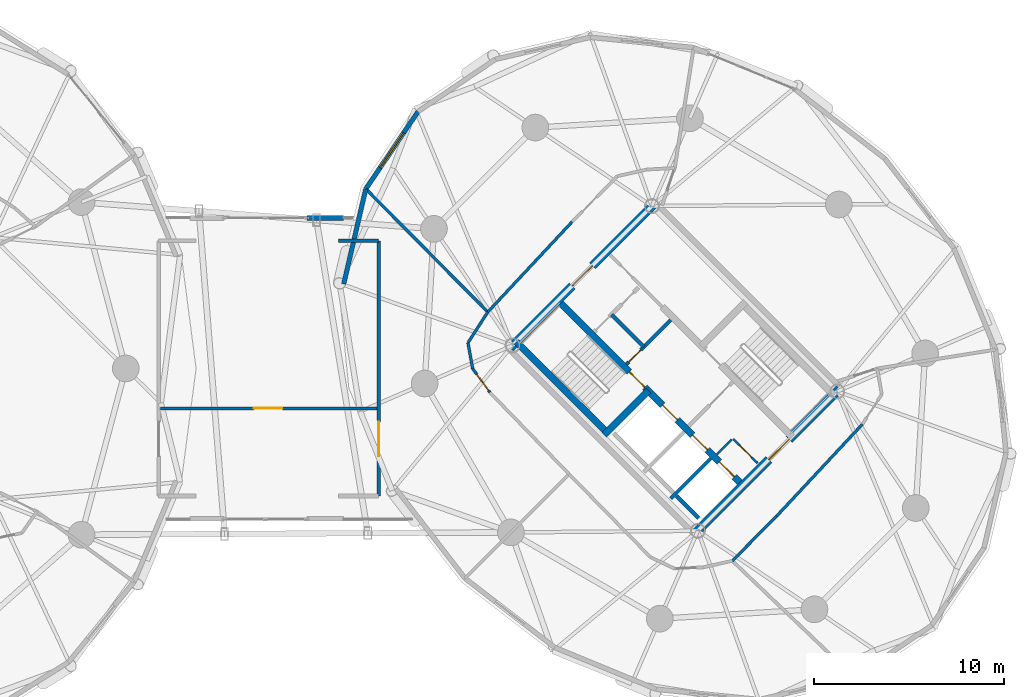
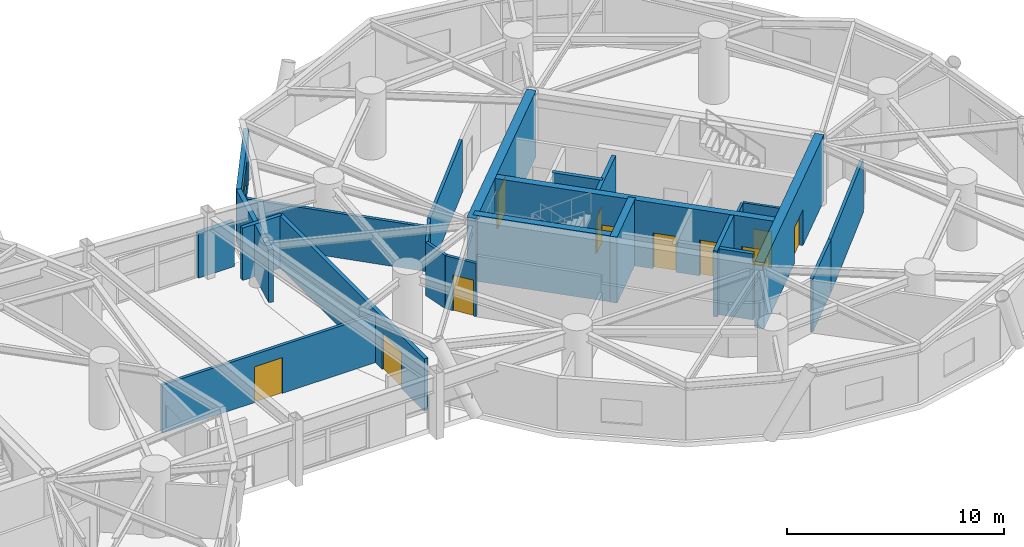
# One storey, part 15 of 19: 24 walls, 11 doors, 1 window, 12 openings.
"""IFC4 building model written with IfcOpenShell, lengths in metres."""

from ifc_helpers import new_model, si_unit, direction, frame, frame_2d, origin, place, context, subcontext, project, spatial, rectangle, extrude, source, transform, mapped, material, layer, layer_set, type_object, element, fill, save


model = new_model("IFC4")

# Units and contexts
model_context = context("Model", 3, precision=1e-05, world=origin(), true_north=direction((0.0, 1.0)))
body_context = subcontext(model_context, "Body", "Model", "MODEL_VIEW")
ifc_project = project(units=[si_unit("LENGTHUNIT", "METRE"), si_unit("AREAUNIT", "SQUARE_METRE"), si_unit("VOLUMEUNIT", "CUBIC_METRE"), si_unit("PLANEANGLEUNIT", "RADIAN"), si_unit("MASSUNIT", "GRAM", prefix="KILO")], contexts=[model_context])

# Site, building, storey
site_placement = place(None, origin())
site = spatial("IfcSite", under=ifc_project, at=site_placement, CompositionType="ELEMENT")
building_placement = place(site_placement, origin())
building = spatial("IfcBuilding", under=site, at=building_placement, Name="Cununo Teusaquillo Station Towers", CompositionType="ELEMENT")
storey_placement = place(building_placement, frame((0.0, 0.0, 136.60009765625)))
storey = spatial("IfcBuildingStorey", under=building, at=storey_placement, Name="L43", CompositionType="ELEMENT", Elevation=136.60009765625)

# Walls
ifc_material_1 = material(Name="Concrete C50/60", Category="concrete")
ifc_layer_1 = layer(ifc_material_1, 0.199951171875)
ifc_layer_set_1 = layer_set([ifc_layer_1], Name="Concrete C50/60")
wall_type_1 = type_object("IfcWallType", Name="WL-CORE-200", PredefinedType="SHEAR", material=ifc_layer_set_1)
wall_1_placement = place(storey_placement, frame((57.2841796875, 17.6728515625, 0.0), z_axis=(0.0, 0.0, 1.0), x_axis=(0.707147878904, 0.70706568108, 0.0)))
element("IfcWall", 1, at=wall_1_placement, inside=storey, type_object=wall_type_1, Name="L43 Tower B High-Rise Lift Hoistway Divider Shear Wall", PredefinedType="SHEAR", context=body_context, shape_type="SweptSolid", body=[
    extrude(rectangle(XDim=2.97021484375, YDim=0.199951171875, at=frame_2d((1.485107421875, 0.0))), origin(), (0.0, 0.0, 1.0), 3.719970703125),
])
wall_2_placement = place(storey_placement, frame((58.7373046875, 16.64404296875, 0.0), z_axis=(0.0, 0.0, 1.0), x_axis=(-0.707032117043, 0.707181437447, 0.0)))
element("IfcWall", 2, at=wall_2_placement, inside=storey, type_object=wall_type_1, Name="L43 Tower B High-Rise Lift 1 Shaft Rear Shear Wall", PredefinedType="SHEAR", context=body_context, shape_type="SweptSolid", body=[
    extrude(rectangle(XDim=1.635009765625, YDim=0.199951171875, at=frame_2d((0.8173828125, 0.0))), origin(), (0.0, 0.0, 1.0), 3.719970703125),
])

# Wall, openings, doors
ifc_material_2 = material(Name="Concrete C50/60", Category="concrete")
ifc_layer_2 = layer(ifc_material_2, 0.35009765625)
ifc_layer_set_2 = layer_set([ifc_layer_2], Name="Concrete C50/60")
wall_type_2 = type_object("IfcWallType", Name="WL-CORE-350", PredefinedType="SHEAR", material=ifc_layer_set_2)
wall_3_placement = place(storey_placement, frame((61.077880859375, 18.355224609375, 0.0), z_axis=(0.0, 0.0, 1.0), x_axis=(-0.707106781187, 0.707106781187, 0.0)))
wall_3 = element("IfcWall", 3, at=wall_3_placement, inside=storey, type_object=wall_type_2, Name="L43 Tower B Core Shear Wall IW", PredefinedType="SHEAR", context=body_context, shape_type="SweptSolid", body=[
    extrude(rectangle(XDim=13.75, YDim=0.35009765625, at=frame_2d((6.875, 0.0))), origin(), (0.0, 0.0, 1.0), 3.719970703125),
])
shared_shape_1 = source(origin(), body_context, "Body", "SweptSolid", [
    extrude(rectangle(XDim=1.10009765625, YDim=2.014892578125, at=frame_2d((0.550048828125, 1.00732421875))), frame((0.0, 0.18505859375, 0.0), z_axis=(0.0, -1.0, 0.0), x_axis=(1.0, 0.0, 0.0)), (0.0, 0.0, 1.0), 0.3701171875),
])
opening_1_placement = place(wall_3_placement, frame((4.875, 0.0, 0.0)))
opening_1 = element("IfcOpeningElement", 4, at=opening_1_placement, cuts=wall_3, Name="Opening LD-01", PredefinedType="OPENING", context=body_context, shape_type="MappedRepresentation", body=[
    mapped(shared_shape_1, transform((0.0, 0.0, 0.0), x_axis=(1.0, 0.0, 0.0), y_axis=(0.0, 1.0, 0.0), z_axis=(0.0, 0.0, 1.0), scale=1.0)),
])
opening_2_placement = place(wall_3_placement, frame((0.64990234375, 0.0, 0.0)))
opening_2 = element("IfcOpeningElement", 5, at=opening_2_placement, cuts=wall_3, Name="Opening LD-01", PredefinedType="OPENING", context=body_context, shape_type="MappedRepresentation", body=[
    mapped(shared_shape_1, transform((0.0, 0.0, 0.0), x_axis=(1.0, 0.0, 0.0), y_axis=(0.0, 1.0, 0.0), z_axis=(0.0, 0.0, 1.0), scale=1.0)),
])
opening_3_placement = place(wall_3_placement, frame((2.64990234375, 0.0, 0.0)))
opening_3 = element("IfcOpeningElement", 6, at=opening_3_placement, cuts=wall_3, Name="Opening LD-01", PredefinedType="OPENING", context=body_context, shape_type="MappedRepresentation", body=[
    mapped(shared_shape_1, transform((0.0, 0.0, 0.0), x_axis=(1.0, 0.0, 0.0), y_axis=(0.0, 1.0, 0.0), z_axis=(0.0, 0.0, 1.0), scale=1.0)),
])
shared_shape_2 = source(origin(), body_context, "Body", "SweptSolid", [
    extrude(rectangle(XDim=1.14990234375, YDim=2.02001953125, at=frame_2d((0.574951171875, 1.010009765625))), frame((0.0, 0.18505859375, 0.0), z_axis=(0.0, -1.0, 0.0), x_axis=(1.0, 0.0, 0.0)), (0.0, 0.0, 1.0), 0.3701171875),
])
opening_4_placement = place(wall_3_placement, frame((7.294921875, 0.0, 0.0)))
opening_4 = element("IfcOpeningElement", 7, at=opening_4_placement, cuts=wall_3, Name="Opening D-ST1", PredefinedType="OPENING", context=body_context, shape_type="MappedRepresentation", body=[
    mapped(shared_shape_2, transform((0.0, 0.0, 0.0), x_axis=(1.0, 0.0, 0.0), y_axis=(0.0, 1.0, 0.0), z_axis=(0.0, 0.0, 1.0), scale=1.0)),
])
ifc_material_3 = material(Name="Galvanised fire-rated hollow steel door assembly", Category="steel")
door_type_1 = type_object("IfcDoorType", Name="DR-LIFT-1100", OperationType="SLIDING_TO_LEFT", PredefinedType="DOOR", material=ifc_material_3)
shared_shape_3 = source(origin(), body_context, "Body", "SweptSolid", [
    extrude(rectangle(XDim=1.10009765625, YDim=2.014892578125, at=frame_2d((0.550048828125, 1.00732421875))), frame((0.0, 0.02490234375, 0.0), z_axis=(0.0, -1.0, 0.0), x_axis=(1.0, 0.0, 0.0)), (0.0, 0.0, 1.0), 0.050048828125),
])
door_1_placement = place(opening_1_placement, origin())
door_1 = element("IfcDoor", 8, at=door_1_placement, inside=storey, type_object=door_type_1, Name="L43 Lift FL-T2 Sliding Landing Door", OperationType="SLIDING_TO_LEFT", OverallHeight=2.014892578125, OverallWidth=1.10009765625, PredefinedType="DOOR", context=body_context, shape_type="MappedRepresentation", body=[
    mapped(shared_shape_3, transform((0.0, 0.0, 0.0), x_axis=(1.0, 0.0, 0.0), y_axis=(0.0, 1.0, 0.0), z_axis=(0.0, 0.0, 1.0), scale=1.0)),
])
fill(opening_1, door_1)
door_2_placement = place(opening_2_placement, origin())
door_2 = element("IfcDoor", 9, at=door_2_placement, inside=storey, type_object=door_type_1, Name="L43 Lift PL-T2-H1 Sliding Landing Door", OperationType="SLIDING_TO_LEFT", OverallHeight=2.014892578125, OverallWidth=1.10009765625, PredefinedType="DOOR", context=body_context, shape_type="MappedRepresentation", body=[
    mapped(shared_shape_3, transform((0.0, 0.0, 0.0), x_axis=(1.0, 0.0, 0.0), y_axis=(0.0, 1.0, 0.0), z_axis=(0.0, 0.0, 1.0), scale=1.0)),
])
fill(opening_2, door_2)
door_3_placement = place(opening_3_placement, origin())
door_3 = element("IfcDoor", 10, at=door_3_placement, inside=storey, type_object=door_type_1, Name="L43 Lift PL-T2-H2 Sliding Landing Door", OperationType="SLIDING_TO_RIGHT", OverallHeight=2.014892578125, OverallWidth=1.10009765625, PredefinedType="DOOR", context=body_context, shape_type="MappedRepresentation", body=[
    mapped(shared_shape_3, transform((0.0, 0.0, 0.0), x_axis=(1.0, 0.0, 0.0), y_axis=(0.0, 1.0, 0.0), z_axis=(0.0, 0.0, 1.0), scale=1.0)),
])
fill(opening_3, door_3)
ifc_material_4 = material(Name="Galvanised fire-rated hollow steel door assembly", Category="steel")
door_type_2 = type_object("IfcDoorType", Name="DR-STAIR-1150", OperationType="NOTDEFINED", PredefinedType="DOOR", material=ifc_material_4)
shared_shape_4 = source(origin(), body_context, "Body", "SweptSolid", [
    extrude(rectangle(XDim=1.14990234375, YDim=2.02001953125, at=frame_2d((0.574951171875, 1.010009765625))), frame((0.0, 0.02490234375, 0.0), z_axis=(0.0, -1.0, 0.0), x_axis=(1.0, 0.0, 0.0)), (0.0, 0.0, 1.0), 0.050048828125),
])
door_4_placement = place(opening_4_placement, origin())
door_4 = element("IfcDoor", 11, at=door_4_placement, inside=storey, type_object=door_type_2, Name="L43 Tower B Exit Stair 1 Fire Door", OperationType="SINGLE_SWING_LEFT", OverallHeight=2.02001953125, OverallWidth=1.14990234375, PredefinedType="DOOR", context=body_context, shape_type="MappedRepresentation", body=[
    mapped(shared_shape_4, transform((0.0, 0.0, 0.0), x_axis=(1.0, 0.0, 0.0), y_axis=(0.0, 1.0, 0.0), z_axis=(0.0, 0.0, 1.0), scale=1.0)),
])
fill(opening_4, door_4)

# Walls
wall_4_placement = place(storey_placement, frame((53.922119140625, 21.14111328125, 0.0), z_axis=(0.0, 0.0, 1.0), x_axis=(-0.707088616009, 0.707124945897, 0.0)))
element("IfcWall", 12, at=wall_4_placement, inside=storey, type_object=wall_type_2, Name="L43 Tower B Core Shear Wall ST1W", PredefinedType="SHEAR", context=body_context, shape_type="SweptSolid", body=[
    extrude(rectangle(XDim=6.72021484375, YDim=0.35009765625, at=frame_2d((3.360107421875, 0.0))), origin(), (0.0, 0.0, 1.0), 3.719970703125),
])
wall_5_placement = place(storey_placement, frame((53.7841796875, 21.00341796875, 0.0), z_axis=(0.0, 0.0, 1.0), x_axis=(0.707106781187, 0.707106781187, 0.0)))
element("IfcWall", 13, at=wall_5_placement, inside=storey, type_object=wall_type_2, Name="L43 Tower B Core Shear Wall ST1S", PredefinedType="SHEAR", context=body_context, shape_type="SweptSolid", body=[
    extrude(rectangle(XDim=3.284912109375, YDim=0.35009765625, at=frame_2d((1.642578125, 0.0))), origin(), (0.0, 0.0, 1.0), 3.719970703125),
])

# Wall, opening, door
ifc_material_5 = material(Name="Concrete C60/75", Category="concrete")
ifc_layer_3 = layer(ifc_material_5, 0.449951171875)
ifc_layer_set_3 = layer_set([ifc_layer_3], Name="Concrete C60/75")
wall_type_3 = type_object("IfcWallType", Name="WL-CORE-450", PredefinedType="SHEAR", material=ifc_layer_set_3)
wall_6_placement = place(storey_placement, frame((58.578369140625, 15.855712890625, 0.0), z_axis=(0.0, 0.0, 1.0), x_axis=(0.707106781187, 0.707106781187, 0.0)))
wall_6 = element("IfcWall", 14, at=wall_6_placement, inside=storey, type_object=wall_type_3, Name="L43 Tower B Core Shear Wall S", PredefinedType="SHEAR", context=body_context, shape_type="SweptSolid", body=[
    extrude(rectangle(XDim=10.69970703125, YDim=0.449951171875, at=frame_2d((5.349853515625, 0.0))), origin(), (0.0, 0.0, 1.0), 3.719970703125),
])
shared_shape_5 = source(origin(), body_context, "Body", "SweptSolid", [
    extrude(rectangle(XDim=1.5, YDim=2.02001953125, at=frame_2d((0.75, 1.010009765625))), frame((0.0, 0.23486328125, 0.0), z_axis=(0.0, -1.0, 0.0), x_axis=(1.0, 0.0, 0.0)), (0.0, 0.0, 1.0), 0.469970703125),
])
opening_5_placement = place(wall_6_placement, frame((5.449951171875, 0.0, 0.0)))
opening_5 = element("IfcOpeningElement", 15, at=opening_5_placement, cuts=wall_6, Name="Opening D-LB1", PredefinedType="OPENING", context=body_context, shape_type="MappedRepresentation", body=[
    mapped(shared_shape_5, transform((0.0, 0.0, 0.0), x_axis=(1.0, 0.0, 0.0), y_axis=(0.0, 1.0, 0.0), z_axis=(0.0, 0.0, 1.0), scale=1.0)),
])
ifc_material_6 = material(Name="Galvanised fire-rated hollow steel door assembly", Category="steel")
door_type_3 = type_object("IfcDoorType", Name="DR-LOBBY-1500", OperationType="DOUBLE_DOOR_SINGLE_SWING", PredefinedType="DOOR", material=ifc_material_6)
shared_shape_6 = source(origin(), body_context, "Body", "SweptSolid", [
    extrude(rectangle(XDim=1.5, YDim=2.02001953125, at=frame_2d((0.75, 1.010009765625))), frame((0.0, 0.02490234375, 0.0), z_axis=(0.0, -1.0, 0.0), x_axis=(1.0, 0.0, 0.0)), (0.0, 0.0, 1.0), 0.050048828125),
])
door_5_placement = place(opening_5_placement, origin())
door_5 = element("IfcDoor", 16, at=door_5_placement, inside=storey, type_object=door_type_3, Name="L43 Tower B South Core Lift Lobby Door", OperationType="DOUBLE_DOOR_SINGLE_SWING", OverallHeight=2.02001953125, OverallWidth=1.5, PredefinedType="DOOR", context=body_context, shape_type="MappedRepresentation", body=[
    mapped(shared_shape_6, transform((0.0, 0.0, 0.0), x_axis=(1.0, 0.0, 0.0), y_axis=(0.0, 1.0, 0.0), z_axis=(0.0, 0.0, 1.0), scale=1.0)),
])
fill(opening_5, door_5)

wall_7_placement = place(storey_placement, frame((48.855712890625, 25.578369140625, 0.0), z_axis=(0.0, 0.0, 1.0), x_axis=(0.707106781187, 0.707106781187, 0.0)))
wall_7 = element("IfcWall", 17, at=wall_7_placement, inside=storey, type_object=wall_type_3, Name="L43 Tower B Core Shear Wall N", PredefinedType="SHEAR", context=body_context, shape_type="SweptSolid", body=[
    extrude(rectangle(XDim=10.69970703125, YDim=0.449951171875, at=frame_2d((5.349853515625, 0.0))), origin(), (0.0, 0.0, 1.0), 3.719970703125),
])
opening_6_placement = place(wall_7_placement, frame((4.60009765625, 0.0, 0.0)))
opening_6 = element("IfcOpeningElement", 18, at=opening_6_placement, cuts=wall_7, Name="Opening D-LB1", PredefinedType="OPENING", context=body_context, shape_type="MappedRepresentation", body=[
    mapped(shared_shape_5, transform((0.0, 0.0, 0.0), x_axis=(1.0, 0.0, 0.0), y_axis=(0.0, 1.0, 0.0), z_axis=(0.0, 0.0, 1.0), scale=1.0)),
])
door_6_placement = place(opening_6_placement, origin())
door_6 = element("IfcDoor", 19, at=door_6_placement, inside=storey, type_object=door_type_3, Name="L43 Tower B North Core Lift Lobby Door", OperationType="DOUBLE_DOOR_SINGLE_SWING", OverallHeight=2.02001953125, OverallWidth=1.5, PredefinedType="DOOR", context=body_context, shape_type="MappedRepresentation", body=[
    mapped(shared_shape_6, transform((0.0, 0.0, 0.0), x_axis=(1.0, 0.0, 0.0), y_axis=(0.0, 1.0, 0.0), z_axis=(0.0, 0.0, 1.0), scale=1.0)),
])
fill(opening_6, door_6)

# Wall, opening, window
ifc_material_7 = material(Name="Precast concrete C40/50", Category="concrete")
ifc_layer_4 = layer(ifc_material_7, 0.239990234375)
ifc_layer_set_4 = layer_set([ifc_layer_4], Name="Precast concrete C40/50")
wall_type_4 = type_object("IfcWallType", Name="WL-EXT-240", PredefinedType="SOLIDWALL", material=ifc_layer_set_4)
wall_8_placement = place(storey_placement, frame((41.27099609375, 33.919921875, 0.0), z_axis=(0.0, 0.0, 1.0), x_axis=(0.559572880421, 0.828781148131, 0.0)))
wall_8 = element("IfcWall", 20, at=wall_8_placement, inside=storey, type_object=wall_type_4, Name="L43 Tower B Exterior Facade Wall C05", PredefinedType="SOLIDWALL", context=body_context, shape_type="SweptSolid", body=[
    extrude(rectangle(XDim=4.904541015625, YDim=0.239990234375, at=frame_2d((2.4521484375, 0.0))), origin(), (0.0, 0.0, 1.0), 2.948974609375),
])
shared_shape_7 = source(origin(), body_context, "Body", "SweptSolid", [
    extrude(rectangle(XDim=2.199951171875, YDim=1.35009765625, at=frame_2d((1.10009765625, 0.675048828125))), frame((0.0, 0.1298828125, 0.0), z_axis=(0.0, -1.0, 0.0), x_axis=(1.0, 0.0, 0.0)), (0.0, 0.0, 1.0), 0.260009765625),
])
opening_7_placement = place(wall_8_placement, frame((1.35205078125, 0.0, 0.64990234375)))
opening_7 = element("IfcOpeningElement", 21, at=opening_7_placement, cuts=wall_8, Name="Opening WN-01", PredefinedType="OPENING", context=body_context, shape_type="MappedRepresentation", body=[
    mapped(shared_shape_7, transform((0.0, 0.0, 0.0), x_axis=(1.0, 0.0, 0.0), y_axis=(0.0, 1.0, 0.0), z_axis=(0.0, 0.0, 1.0), scale=1.0)),
])
ifc_material_8 = material(Name="Ceramic-fritted dark low-E double glazing", Category="glass")
window_type = type_object("IfcWindowType", Name="WIN-FRIT-2200", PartitioningType="DOUBLE_PANEL_VERTICAL", PredefinedType="WINDOW", material=ifc_material_8)
shared_shape_8 = source(origin(), body_context, "Body", "SweptSolid", [
    extrude(rectangle(XDim=2.199951171875, YDim=1.35009765625, at=frame_2d((1.10009765625, 0.675048828125))), frame((0.0, 0.030029296875, 0.0), z_axis=(0.0, -1.0, 0.0), x_axis=(1.0, 0.0, 0.0)), (0.0, 0.0, 1.0), 0.06005859375),
])
window_placement = place(opening_7_placement, origin())
window = element("IfcWindow", 22, at=window_placement, inside=storey, type_object=window_type, Name="L43 Tower B Facade Window C05", OverallHeight=1.35009765625, OverallWidth=2.199951171875, PartitioningType="DOUBLE_PANEL_VERTICAL", PredefinedType="WINDOW", context=body_context, shape_type="MappedRepresentation", body=[
    mapped(shared_shape_8, transform((0.0, 0.0, 0.0), x_axis=(1.0, 0.0, 0.0), y_axis=(0.0, 1.0, 0.0), z_axis=(0.0, 0.0, 1.0), scale=1.0)),
])
fill(opening_7, window)

# Walls
wall_9_placement = place(storey_placement, frame((40.114990234375, 28.933349609375, 0.0), z_axis=(0.0, 0.0, 1.0), x_axis=(0.225834725257, 0.974165631126, 0.0)))
element("IfcWall", 23, at=wall_9_placement, inside=storey, type_object=wall_type_4, Name="L43 Tower B Exterior Facade Wall C06", PredefinedType="SOLIDWALL", context=body_context, shape_type="SweptSolid", body=[
    extrude(rectangle(XDim=5.118896484375, YDim=0.239990234375, at=frame_2d((2.5595703125, 0.0))), origin(), (0.0, 0.0, 1.0), 2.948974609375),
])
wall_10_placement = place(storey_placement, frame((38.179931640625, 32.39990234375, 0.0), z_axis=(0.0, 0.0, 1.0), x_axis=(1.0, 0.0, 0.0)))
element("IfcWall", 24, at=wall_10_placement, inside=storey, type_object=wall_type_4, Name="L43 Mid-Bridge N End Spandrel B", PredefinedType="SOLIDWALL", context=body_context, shape_type="SweptSolid", body=[
    extrude(rectangle(XDim=1.920166015625, YDim=0.239990234375, at=frame_2d((0.9599609375, 0.0))), origin(), (0.0, 0.0, 1.0), 2.511962890625),
])

# Wall, opening, door
ifc_material_9 = material(Name="Fire-rated gypsum plasterboard partition assembly", Category="gypsum")
ifc_layer_5 = layer(ifc_material_9, 0.125)
ifc_layer_set_5 = layer_set([ifc_layer_5], Name="Fire-rated gypsum plasterboard partition assembly")
wall_type_5 = type_object("IfcWallType", Name="WL-PART-125", PredefinedType="PARTITIONING", material=ifc_layer_set_5)
wall_11_placement = place(storey_placement, frame((61.834716796875, 19.529052734375, 0.0), z_axis=(0.0, 0.0, 1.0), x_axis=(-0.707174592913, 0.707038962956, 0.0)))
wall_11 = element("IfcWall", 25, at=wall_11_placement, inside=storey, type_object=wall_type_5, Name="L43 Tower B South-West Compact Store East Wall", PredefinedType="PARTITIONING", context=body_context, shape_type="SweptSolid", body=[
    extrude(rectangle(XDim=1.800048828125, YDim=0.125, at=frame_2d((0.89990234375, 0.0))), origin(), (0.0, 0.0, 1.0), 3.4248046875),
])
shared_shape_9 = source(origin(), body_context, "Body", "SweptSolid", [
    extrude(rectangle(XDim=0.89990234375, YDim=2.0048828125, at=frame_2d((0.449951171875, 1.00244140625))), frame((0.0, 0.072509765625, 0.0), z_axis=(0.0, -1.0, 0.0), x_axis=(1.0, 0.0, 0.0)), (0.0, 0.0, 1.0), 0.14501953125),
])
opening_8_placement = place(wall_11_placement, frame((0.419921875, 0.0, 0.0)))
opening_8 = element("IfcOpeningElement", 26, at=opening_8_placement, cuts=wall_11, Name="Opening D-SR1", PredefinedType="OPENING", context=body_context, shape_type="MappedRepresentation", body=[
    mapped(shared_shape_9, transform((0.0, 0.0, 0.0), x_axis=(1.0, 0.0, 0.0), y_axis=(0.0, 1.0, 0.0), z_axis=(0.0, 0.0, 1.0), scale=1.0)),
])
ifc_material_10 = material(Name="Galvanised fire-rated hollow steel door assembly", Category="steel")
door_type_4 = type_object("IfcDoorType", Name="DR-STORE-900", OperationType="NOTDEFINED", PredefinedType="DOOR", material=ifc_material_10)
shared_shape_10 = source(origin(), body_context, "Body", "SweptSolid", [
    extrude(rectangle(XDim=0.89990234375, YDim=2.0048828125, at=frame_2d((0.449951171875, 1.00244140625))), frame((0.0, 0.02490234375, 0.0), z_axis=(0.0, -1.0, 0.0), x_axis=(1.0, 0.0, 0.0)), (0.0, 0.0, 1.0), 0.050048828125),
])
door_7_placement = place(opening_8_placement, origin())
door_7 = element("IfcDoor", 27, at=door_7_placement, inside=storey, type_object=door_type_4, Name="L43 Tower B Core Electrical & Comms Store Door", OperationType="SINGLE_SWING_LEFT", OverallHeight=2.0048828125, OverallWidth=0.89990234375, PredefinedType="DOOR", context=body_context, shape_type="MappedRepresentation", body=[
    mapped(shared_shape_10, transform((0.0, 0.0, 0.0), x_axis=(1.0, 0.0, 0.0), y_axis=(0.0, 1.0, 0.0), z_axis=(0.0, 0.0, 1.0), scale=1.0)),
])
fill(opening_8, door_7)

# Walls
wall_12_placement = place(storey_placement, frame((59.713134765625, 19.99560546875, 0.0), z_axis=(0.0, 0.0, 1.0), x_axis=(0.707217726, 0.706995818963, 0.0)))
element("IfcWall", 28, at=wall_12_placement, inside=storey, type_object=wall_type_5, Name="L43 Tower B South-West Compact Store North Wall", PredefinedType="PARTITIONING", context=body_context, shape_type="SweptSolid", body=[
    extrude(rectangle(XDim=1.10009765625, YDim=0.125, at=frame_2d((0.550048828125, 0.0))), origin(), (0.0, 0.0, 1.0), 3.4248046875),
])
ifc_material_11 = material(Name="Fire-rated gypsum plasterboard partition assembly", Category="gypsum")
ifc_layer_6 = layer(ifc_material_11, 0.14990234375)
ifc_layer_set_6 = layer_set([ifc_layer_6], Name="Fire-rated gypsum plasterboard partition assembly")
wall_type_6 = type_object("IfcWallType", Name="WL-PART-150", PredefinedType="PARTITIONING", material=ifc_layer_set_6)
wall_13_placement = place(storey_placement, frame((52.10693359375, 32.201904296875, 0.0), z_axis=(0.0, 0.0, 1.0), x_axis=(-0.682605209028, -0.730787334734, 0.0)))
element("IfcWall", 29, at=wall_13_placement, inside=storey, type_object=wall_type_6, Name="L43 Tower B Corridor Ring Wall C05", PredefinedType="PARTITIONING", context=body_context, shape_type="SweptSolid", body=[
    extrude(rectangle(XDim=6.48583984375, YDim=0.14990234375, at=frame_2d((3.242919921875, 0.0))), origin(), (0.0, 0.0, 1.0), 2.994873046875),
])
wall_14_placement = place(storey_placement, frame((47.6796875, 27.462158203125, 0.0), z_axis=(0.0, 0.0, 1.0), x_axis=(-0.542097952486, -0.840315303865, 0.0)))
element("IfcWall", 30, at=wall_14_placement, inside=storey, type_object=wall_type_6, Name="L43 Tower B Corridor Ring Wall C06", PredefinedType="PARTITIONING", context=body_context, shape_type="SweptSolid", body=[
    extrude(rectangle(XDim=1.923095703125, YDim=0.14990234375, at=frame_2d((0.96142578125, 0.0))), origin(), (0.0, 0.0, 1.0), 2.994873046875),
])
wall_15_placement = place(storey_placement, frame((46.63720703125, 25.84619140625, 0.0), z_axis=(0.0, 0.0, 1.0), x_axis=(0.179617307107, -0.983736561782, 0.0)))
element("IfcWall", 31, at=wall_15_placement, inside=storey, type_object=wall_type_6, Name="L43 Tower B Corridor Ring Wall C07", PredefinedType="PARTITIONING", context=body_context, shape_type="SweptSolid", body=[
    extrude(rectangle(XDim=1.379638671875, YDim=0.14990234375, at=frame_2d((0.68994140625, 0.0))), origin(), (0.0, 0.0, 1.0), 2.994873046875),
])

# Wall, opening, door
wall_16_placement = place(storey_placement, frame((46.885009765625, 24.489013671875, 0.0), z_axis=(0.0, 0.0, 1.0), x_axis=(0.585716430945, -0.810516047047, 0.0)))
wall_16 = element("IfcWall", 32, at=wall_16_placement, inside=storey, type_object=wall_type_6, Name="L43 Tower B Corridor Ring Wall C08", PredefinedType="PARTITIONING", context=body_context, shape_type="SweptSolid", body=[
    extrude(rectangle(XDim=1.538818359375, YDim=0.14990234375, at=frame_2d((0.76953125, 0.0))), origin(), (0.0, 0.0, 1.0), 2.994873046875),
])
shared_shape_11 = source(origin(), body_context, "Body", "SweptSolid", [
    extrude(rectangle(XDim=1.050048828125, YDim=2.014892578125, at=frame_2d((0.52490234375, 1.00732421875))), frame((0.0, 0.0849609375, 0.0), z_axis=(0.0, -1.0, 0.0), x_axis=(1.0, 0.0, 0.0)), (0.0, 0.0, 1.0), 0.169921875),
])
opening_9_placement = place(wall_16_placement, frame((0.36865234375, 0.0, 0.0)))
opening_9 = element("IfcOpeningElement", 33, at=opening_9_placement, cuts=wall_16, Name="Opening D-SU1", PredefinedType="OPENING", context=body_context, shape_type="MappedRepresentation", body=[
    mapped(shared_shape_11, transform((0.0, 0.0, 0.0), x_axis=(1.0, 0.0, 0.0), y_axis=(0.0, 1.0, 0.0), z_axis=(0.0, 0.0, 1.0), scale=1.0)),
])
ifc_material_12 = material(Name="Acoustic solid-core hardwood leaf assembly", Category="wood")
door_type_5 = type_object("IfcDoorType", Name="DR-SUITE-1050", OperationType="NOTDEFINED", PredefinedType="DOOR", material=ifc_material_12)
shared_shape_12 = source(origin(), body_context, "Body", "SweptSolid", [
    extrude(rectangle(XDim=1.050048828125, YDim=2.014892578125, at=frame_2d((0.52490234375, 1.00732421875))), frame((0.0, 0.02490234375, 0.0), z_axis=(0.0, -1.0, 0.0), x_axis=(1.0, 0.0, 0.0)), (0.0, 0.0, 1.0), 0.050048828125),
])
door_8_placement = place(opening_9_placement, origin())
door_8 = element("IfcDoor", 34, at=door_8_placement, inside=storey, type_object=door_type_5, Name="L43 Tower B Andean Coffee & Pastry Salon Entrance Door", OperationType="SINGLE_SWING_LEFT", OverallHeight=2.014892578125, OverallWidth=1.050048828125, PredefinedType="DOOR", context=body_context, shape_type="MappedRepresentation", body=[
    mapped(shared_shape_12, transform((0.0, 0.0, 0.0), x_axis=(1.0, 0.0, 0.0), y_axis=(0.0, 1.0, 0.0), z_axis=(0.0, 0.0, 1.0), scale=1.0)),
])
fill(opening_9, door_8)

# Walls
wall_17_placement = place(storey_placement, frame((60.5146484375, 14.400634765625, 0.0), z_axis=(0.0, 0.0, 1.0), x_axis=(0.704179607439, 0.710021887316, 0.0)))
element("IfcWall", 35, at=wall_17_placement, inside=storey, type_object=wall_type_6, Name="L43 Tower B Corridor Ring Wall C14", PredefinedType="PARTITIONING", context=body_context, shape_type="SweptSolid", body=[
    extrude(rectangle(XDim=3.30126953125, YDim=0.14990234375, at=frame_2d((1.650634765625, 0.0))), origin(), (0.0, 0.0, 1.0), 2.994873046875),
])
wall_18_placement = place(storey_placement, frame((62.83935546875, 16.74462890625, 0.0), z_axis=(0.0, 0.0, 1.0), x_axis=(0.682386779427, 0.73099130177, 0.0)))
element("IfcWall", 36, at=wall_18_placement, inside=storey, type_object=wall_type_6, Name="L43 Tower B Corridor Ring Wall C15", PredefinedType="PARTITIONING", context=body_context, shape_type="SweptSolid", body=[
    extrude(rectangle(XDim=6.600341796875, YDim=0.14990234375, at=frame_2d((3.30029296875, 0.0))), origin(), (0.0, 0.0, 1.0), 2.994873046875),
])

# Wall, opening, door
ifc_material_13 = material(Name="Fire-rated gypsum plasterboard partition assembly", Category="gypsum")
ifc_layer_7 = layer(ifc_material_13, 0.159912109375)
ifc_layer_set_7 = layer_set([ifc_layer_7], Name="Fire-rated gypsum plasterboard partition assembly")
wall_type_7 = type_object("IfcWallType", Name="WL-PART-160", PredefinedType="PARTITIONING", material=ifc_layer_set_7)
wall_19_placement = place(storey_placement, frame((30.5, 22.39990234375, 0.0), z_axis=(0.0, 0.0, 1.0), x_axis=(1.0, 0.0, 0.0)))
wall_19 = element("IfcWall", 37, at=wall_19_placement, inside=storey, type_object=wall_type_7, Name="L43 Mid-Bridge Gallery Lounge Partition", PredefinedType="PARTITIONING", context=body_context, shape_type="SweptSolid", body=[
    extrude(rectangle(XDim=11.35009765625, YDim=0.159912109375, at=frame_2d((5.675048828125, 0.0))), origin(), (0.0, 0.0, 1.0), 2.7119140625),
])
shared_shape_13 = source(origin(), body_context, "Body", "SweptSolid", [
    extrude(rectangle(XDim=1.5, YDim=2.02001953125, at=frame_2d((0.75, 1.010009765625))), frame((0.0, 0.08984375, 0.0), z_axis=(0.0, -1.0, 0.0), x_axis=(1.0, 0.0, 0.0)), (0.0, 0.0, 1.0), 0.179931640625),
])
opening_10_placement = place(wall_19_placement, frame((4.89990234375, 0.0, 0.0)))
opening_10 = element("IfcOpeningElement", 38, at=opening_10_placement, cuts=wall_19, Name="Opening D-LB1", PredefinedType="OPENING", context=body_context, shape_type="MappedRepresentation", body=[
    mapped(shared_shape_13, transform((0.0, 0.0, 0.0), x_axis=(1.0, 0.0, 0.0), y_axis=(0.0, 1.0, 0.0), z_axis=(0.0, 0.0, 1.0), scale=1.0)),
])
door_9_placement = place(opening_10_placement, origin())
door_9 = element("IfcDoor", 39, at=door_9_placement, inside=storey, type_object=door_type_3, Name="L43 Mid-Bridge Salon Door", OperationType="DOUBLE_DOOR_SINGLE_SWING", OverallHeight=2.02001953125, OverallWidth=1.5, PredefinedType="DOOR", context=body_context, shape_type="MappedRepresentation", body=[
    mapped(shared_shape_6, transform((0.0, 0.0, 0.0), x_axis=(1.0, 0.0, 0.0), y_axis=(0.0, 1.0, 0.0), z_axis=(0.0, 0.0, 1.0), scale=1.0)),
])
fill(opening_10, door_9)

# Wall
wall_20_placement = place(storey_placement, frame((47.6796875, 27.462158203125, 0.0), z_axis=(0.0, 0.0, 1.0), x_axis=(-0.703913074907, 0.710286127539, 0.0)))
element("IfcWall", 40, at=wall_20_placement, inside=storey, type_object=wall_type_7, Name="L43 Tower B Radial Suite Partition R02", PredefinedType="PARTITIONING", context=body_context, shape_type="SweptSolid", body=[
    extrude(rectangle(XDim=9.0791015625, YDim=0.159912109375, at=frame_2d((4.53955078125, 0.0))), origin(), (0.0, 0.0, 1.0), 2.511962890625),
])

# Wall, opening, door
ifc_material_14 = material(Name="Fire-rated gypsum plasterboard partition assembly", Category="gypsum")
ifc_layer_8 = layer(ifc_material_14, 0.199951171875)
ifc_layer_set_8 = layer_set([ifc_layer_8], Name="Fire-rated gypsum plasterboard partition assembly")
wall_type_8 = type_object("IfcWallType", Name="WL-PART-200", PredefinedType="PARTITIONING", material=ifc_layer_set_8)
wall_21_placement = place(storey_placement, frame((41.949951171875, 17.800048828125, 0.0), z_axis=(0.0, 0.0, 1.0), x_axis=(0.0, 1.0, 0.0)))
wall_21 = element("IfcWall", 41, at=wall_21_placement, inside=storey, type_object=wall_type_8, Name="L43 Mid-Bridge T2 Fire Portal Wall", PredefinedType="PARTITIONING", context=body_context, shape_type="SweptSolid", body=[
    extrude(rectangle(XDim=13.39990234375, YDim=0.199951171875, at=frame_2d((6.699951171875, 0.0))), origin(), (0.0, 0.0, 1.0), 2.948974609375),
])
shared_shape_14 = source(origin(), body_context, "Body", "SweptSolid", [
    extrude(rectangle(XDim=1.800048828125, YDim=2.050048828125, at=frame_2d((0.89990234375, 1.02490234375))), frame((0.0, 0.10986328125, 0.0), z_axis=(0.0, -1.0, 0.0), x_axis=(1.0, 0.0, 0.0)), (0.0, 0.0, 1.0), 0.219970703125),
])
opening_11_placement = place(wall_21_placement, frame((2.10009765625, 0.0, 0.0)))
opening_11 = element("IfcOpeningElement", 42, at=opening_11_placement, cuts=wall_21, Name="Opening D-BG1", PredefinedType="OPENING", context=body_context, shape_type="MappedRepresentation", body=[
    mapped(shared_shape_14, transform((0.0, 0.0, 0.0), x_axis=(1.0, 0.0, 0.0), y_axis=(0.0, 1.0, 0.0), z_axis=(0.0, 0.0, 1.0), scale=1.0)),
])
ifc_material_15 = material(Name="Galvanised fire-rated hollow steel door assembly", Category="steel")
door_type_6 = type_object("IfcDoorType", Name="DR-BRIDGE-1800", OperationType="DOUBLE_DOOR_SINGLE_SWING", PredefinedType="DOOR", material=ifc_material_15)
shared_shape_15 = source(origin(), body_context, "Body", "SweptSolid", [
    extrude(rectangle(XDim=1.800048828125, YDim=2.050048828125, at=frame_2d((0.89990234375, 1.02490234375))), frame((0.0, 0.02490234375, 0.0), z_axis=(0.0, -1.0, 0.0), x_axis=(1.0, 0.0, 0.0)), (0.0, 0.0, 1.0), 0.050048828125),
])
door_10_placement = place(opening_11_placement, origin())
door_10 = element("IfcDoor", 43, at=door_10_placement, inside=storey, type_object=door_type_6, Name="L43 Mid-Bridge T2 Portal Fire Door", OperationType="DOUBLE_DOOR_SINGLE_SWING", OverallHeight=2.050048828125, OverallWidth=1.800048828125, PredefinedType="DOOR", context=body_context, shape_type="MappedRepresentation", body=[
    mapped(shared_shape_15, transform((0.0, 0.0, 0.0), x_axis=(1.0, 0.0, 0.0), y_axis=(0.0, 1.0, 0.0), z_axis=(0.0, 0.0, 1.0), scale=1.0)),
])
fill(opening_11, door_10)

# Wall
wall_22_placement = place(storey_placement, frame((39.85009765625, 31.199951171875, 0.0), z_axis=(0.0, 0.0, 1.0), x_axis=(1.0, 0.0, 0.0)))
element("IfcWall", 44, at=wall_22_placement, inside=storey, type_object=wall_type_8, Name="L43 Mid-Bridge Portal Return Wall EN", PredefinedType="PARTITIONING", context=body_context, shape_type="SweptSolid", body=[
    extrude(rectangle(XDim=2.099853515625, YDim=0.199951171875, at=frame_2d((1.0498046875, 0.0))), origin(), (0.0, 0.0, 1.0), 2.948974609375),
])

# Wall, opening, door
wall_23_placement = place(storey_placement, frame((54.96142578125, 24.71923828125, 0.0), z_axis=(0.0, 0.0, 1.0), x_axis=(0.707106781187, 0.707106781187, 0.0)))
wall_23 = element("IfcWall", 45, at=wall_23_placement, inside=storey, type_object=wall_type_8, Name="L43 Tower B Firefighting Lift Lobby North Fire Wall", PredefinedType="PARTITIONING", context=body_context, shape_type="SweptSolid", body=[
    extrude(rectangle(XDim=3.280029296875, YDim=0.199951171875, at=frame_2d((1.64013671875, 0.0))), origin(), (0.0, 0.0, 1.0), 3.4248046875),
])
shared_shape_16 = source(origin(), body_context, "Body", "SweptSolid", [
    extrude(rectangle(XDim=0.89990234375, YDim=2.0048828125, at=frame_2d((0.449951171875, 1.00244140625))), frame((0.0, 0.10986328125, 0.0), z_axis=(0.0, -1.0, 0.0), x_axis=(1.0, 0.0, 0.0)), (0.0, 0.0, 1.0), 0.219970703125),
])
opening_12_placement = place(wall_23_placement, frame((0.159912109375, 0.0, 0.0)))
opening_12 = element("IfcOpeningElement", 46, at=opening_12_placement, cuts=wall_23, Name="Opening D-SR1", PredefinedType="OPENING", context=body_context, shape_type="MappedRepresentation", body=[
    mapped(shared_shape_16, transform((0.0, 0.0, 0.0), x_axis=(1.0, 0.0, 0.0), y_axis=(0.0, 1.0, 0.0), z_axis=(0.0, 0.0, 1.0), scale=1.0)),
])
door_11_placement = place(opening_12_placement, origin())
door_11 = element("IfcDoor", 47, at=door_11_placement, inside=storey, type_object=door_type_4, Name="L43 Tower B Stair 1 Protected Vestibule South Door", OperationType="SINGLE_SWING_LEFT", OverallHeight=2.0048828125, OverallWidth=0.89990234375, PredefinedType="DOOR", context=body_context, shape_type="MappedRepresentation", body=[
    mapped(shared_shape_10, transform((0.0, 0.0, 0.0), x_axis=(1.0, 0.0, 0.0), y_axis=(0.0, 1.0, 0.0), z_axis=(0.0, 0.0, 1.0), scale=1.0)),
])
fill(opening_12, door_11)

# Wall
wall_24_placement = place(storey_placement, frame((55.873779296875, 25.63134765625, 0.0), z_axis=(0.0, 0.0, 1.0), x_axis=(-0.707157639372, 0.707055919343, 0.0)))
element("IfcWall", 48, at=wall_24_placement, inside=storey, type_object=wall_type_8, Name="L43 Tower B Stair 1 Vestibule Partition Wall", PredefinedType="PARTITIONING", context=body_context, shape_type="SweptSolid", body=[
    extrude(rectangle(XDim=2.400146484375, YDim=0.199951171875, at=frame_2d((1.2001953125, 0.0))), origin(), (0.0, 0.0, 1.0), 3.4248046875),
])

save(model, "model.ifc")
